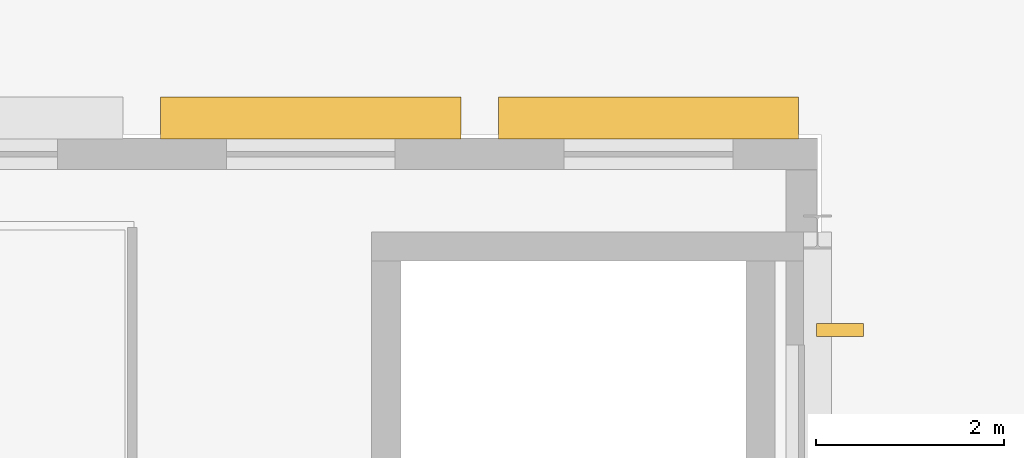
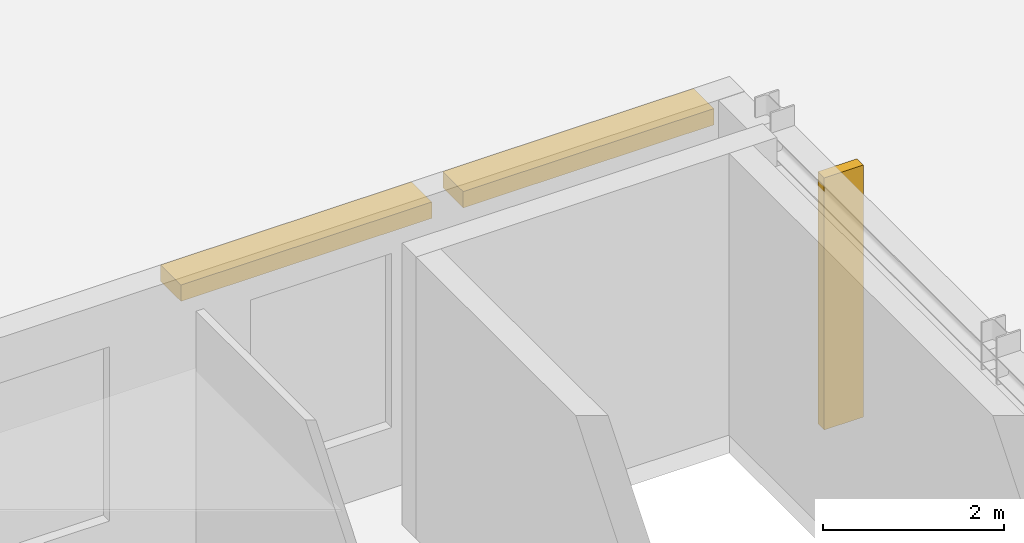
# One storey, part 13 of 13: 3 shading devices.
"""IFC4 building model written with IfcOpenShell, lengths in metres."""

from ifc_helpers import new_model, si_unit, direction, frame, origin, origin_2d, place, context, subcontext, project, spatial, rectangle, extrude, material, type_object, element, save


model = new_model("IFC4")

# Units and contexts
model_context = context("Model", 3, precision=1e-05, world=origin(), true_north=direction((0.0, 1.0)))
body_context = subcontext(model_context, "Body", "Model", "MODEL_VIEW")
ifc_project = project(units=[si_unit("LENGTHUNIT", "METRE"), si_unit("AREAUNIT", "SQUARE_METRE"), si_unit("VOLUMEUNIT", "CUBIC_METRE"), si_unit("PLANEANGLEUNIT", "RADIAN"), si_unit("MASSUNIT", "GRAM", prefix="KILO")], contexts=[model_context])

# Site, building, storey
site_placement = place(None, origin())
site = spatial("IfcSite", under=ifc_project, at=site_placement, CompositionType="ELEMENT")
building_placement = place(site_placement, origin())
building = spatial("IfcBuilding", under=site, at=building_placement, Name="Kolvaren Corner Interchange", CompositionType="ELEMENT")
storey_placement = place(building_placement, frame((0.0, 0.0, 14.699951171875)))
storey = spatial("IfcBuildingStorey", under=building, at=storey_placement, Name="L04", CompositionType="ELEMENT", Elevation=14.699951171875)

# Shading devices
ifc_material_1 = material(Name="Glazed Ochre Ceramic Baguette Solar Louvre")
shading_device_type_1 = type_object("IfcShadingDeviceType", Name="SHD-BAG-H450", PredefinedType="JALOUSIE", material=ifc_material_1)
for number, where, z_axis, x_axis, name in (
    (1, (19.800048828125, 72.215087890625, 3.2001953125), (0.0, 0.0, 1.0), (-1.0, 0.0, 0.0), "L04 Ceramic Solar Shading 0100"),
    (2, (16.199951171875, 72.215087890625, 3.2001953125), (0.0, 0.0, 1.0), (-1.0, 0.0, 0.0), "L04 Ceramic Solar Shading 0101"),
):
    element("IfcShadingDevice", number, at=place(storey_placement, frame(where, z_axis=z_axis, x_axis=x_axis)), inside=storey, type_object=shading_device_type_1, Name=name, PredefinedType="JALOUSIE", context=body_context, shape_type="SweptSolid", body=[
        extrude(rectangle(XDim=3.199951171875, YDim=0.449951171875, at=origin_2d()), origin(), (0.0, 0.0, 1.0), 0.219970703125),
    ])
ifc_material_2 = material(Name="Vertical Terracotta Solar Fin", Category="masonry")
shading_device_type_2 = type_object("IfcShadingDeviceType", Name="SHD-FIN-V500", PredefinedType="USERDEFINED", material=ifc_material_2)
shading_device_placement = place(storey_placement, frame((21.840087890625, 69.9541015625, 0.295166015625), z_axis=(0.0, 0.0, 1.0), x_axis=(0.0, 1.0, 0.0)))
element("IfcShadingDevice", 3, at=shading_device_placement, inside=storey, type_object=shading_device_type_2, Name="L04 Ceramic Solar Shading 0099", ObjectType="SUNSHADE", PredefinedType="USERDEFINED", context=body_context, shape_type="SweptSolid", body=[
    extrude(rectangle(XDim=0.139892578125, YDim=0.5, at=origin_2d()), origin(), (0.0, 0.0, 1.0), 3.39990234375),
])

save(model, "model.ifc")
